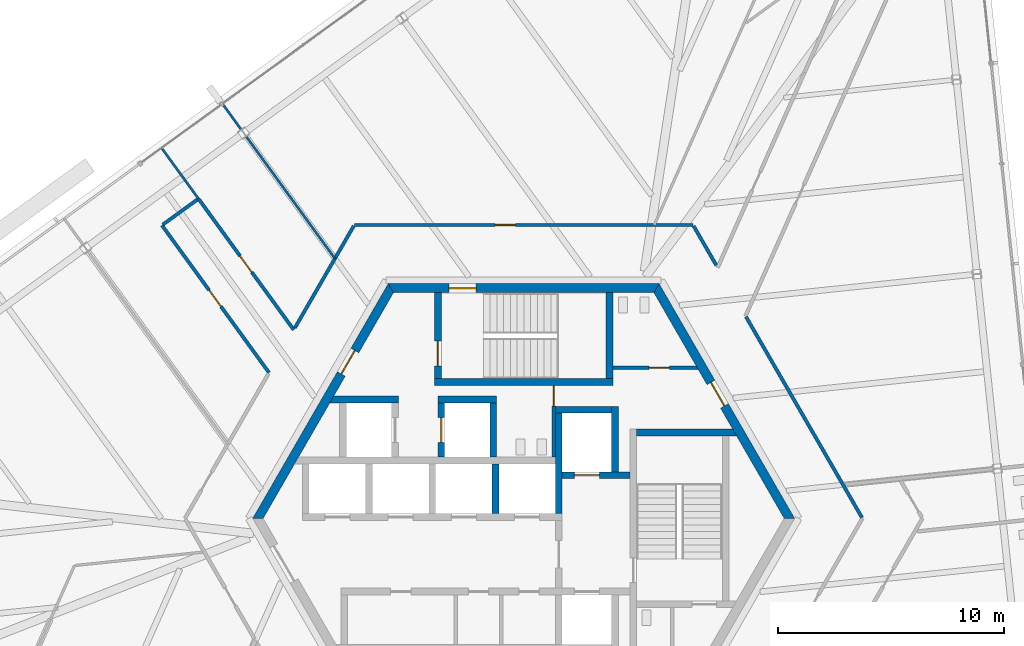
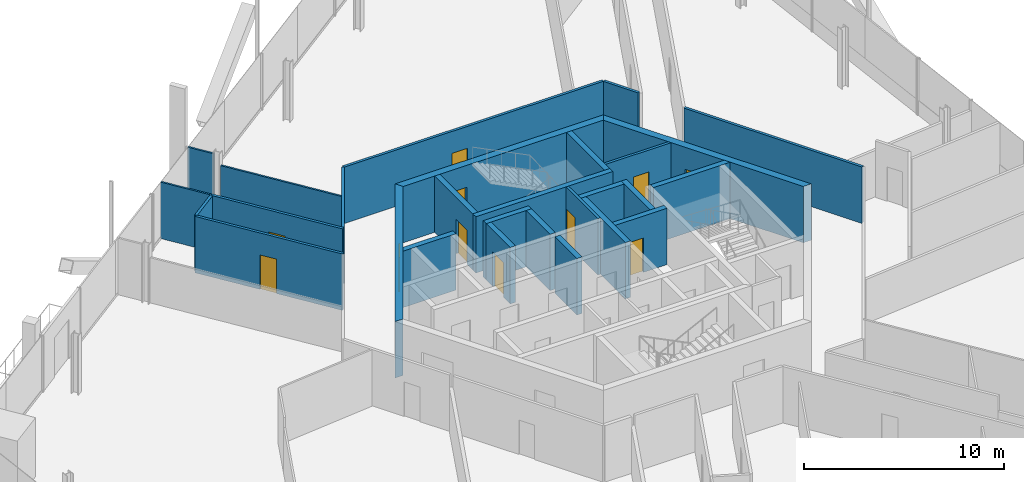
# One storey, part 13 of 21: 28 walls, 11 doors, 11 openings.
"""IFC4 building model written with IfcOpenShell, lengths in metres."""

from ifc_helpers import new_model, si_unit, direction, frame, frame_2d, origin, place, context, subcontext, project, spatial, polyline, rectangle, outline, extrude, source, transform, mapped, material, layer, layer_set, type_object, element, fill, save


model = new_model("IFC4")

# Units and contexts
model_context = context("Model", 3, precision=1e-05, world=origin(), true_north=direction((0.0, 1.0)))
body_context = subcontext(model_context, "Body", "Model", "MODEL_VIEW")
ifc_project = project(units=[si_unit("LENGTHUNIT", "METRE"), si_unit("AREAUNIT", "SQUARE_METRE"), si_unit("VOLUMEUNIT", "CUBIC_METRE"), si_unit("PLANEANGLEUNIT", "RADIAN"), si_unit("MASSUNIT", "GRAM", prefix="KILO")], contexts=[model_context])

# Site, building, storey
site_placement = place(None, origin())
site = spatial("IfcSite", under=ifc_project, at=site_placement, CompositionType="ELEMENT")
building_placement = place(site_placement, origin())
building = spatial("IfcBuilding", under=site, at=building_placement, Name="Triune Harvest Tower", CompositionType="ELEMENT")
storey_placement = place(building_placement, frame((0.0, 0.0, 80.10009765625)))
storey = spatial("IfcBuildingStorey", under=building, at=storey_placement, Name="L19", CompositionType="ELEMENT", Elevation=80.10009765625)

# Wall
ifc_material_1 = material(Name="Gypsum board on steel studs", Category="steel")
ifc_layer_1 = layer(ifc_material_1, 0.10009765625)
ifc_layer_set_1 = layer_set([ifc_layer_1], Name="Gypsum board on steel studs")
wall_type_1 = type_object("IfcWallType", Name="Partition 100 mm", PredefinedType="PARTITIONING", material=ifc_layer_set_1)
wall_1_placement = place(storey_placement, frame((-12.2880859375, 16.9130859375, 0.0), z_axis=(0.0, 0.0, 1.0), x_axis=(0.587780699175, -0.809020302389, 0.0)))
element("IfcWall", 1, at=wall_1_placement, inside=storey, type_object=wall_type_1, Name="Partition L19 018", PredefinedType="PARTITIONING", context=body_context, shape_type="SweptSolid", body=[
    extrude(rectangle(XDim=6.68408203125, YDim=0.10009765625, at=frame_2d((3.342041015625, 0.0))), origin(), (0.0, 0.0, 1.0), 2.82763671875),
])

# Wall, opening, door
ifc_material_2 = material(Name="Concrete 70 MPa", Category="concrete")
ifc_layer_2 = layer(ifc_material_2, 0.39990234375)
ifc_layer_set_2 = layer_set([ifc_layer_2], Name="Concrete 70 MPa")
wall_type_2 = type_object("IfcWallType", Name="Core wall 400", PredefinedType="SHEAR", material=ifc_layer_set_2)
shared_shape_1 = source(origin(), body_context, "Body", "SweptSolid", [
    extrude(outline(polyline([(-0.115478515625, -0.199951171875), (11.884521484375, -0.199951171875), (11.653564453125, 0.199951171875), (0.115478515625, 0.199951171875), (-0.115478515625, -0.199951171875)])), origin(), (0.0, 0.0, 1.0), 3.43994140625),
])
wall_2_placement = place(storey_placement, frame((11.76904296875, 0.0, 0.0), z_axis=(0.0, 0.0, 1.0), x_axis=(-0.499996592174, 0.866027371285, 0.0)))
wall_2 = element("IfcWall", 2, at=wall_2_placement, inside=storey, type_object=wall_type_2, Name="Hexagon 0 wall", PredefinedType="SHEAR", context=body_context, shape_type="MappedRepresentation", body=[
    mapped(shared_shape_1, transform((0.0, 0.0, 0.0), scale=1.0)),
])
opening_1_placement = place(wall_2_placement, frame((5.75048828125, 0.0, 0.0)))
opening_1 = element("IfcOpeningElement", 3, at=opening_1_placement, cuts=wall_2, Name="Opening CD-WCP", PredefinedType="OPENING", context=body_context, shape_type="SweptSolid", body=[
    extrude(rectangle(XDim=1.199951171875, YDim=2.10009765625, at=frame_2d((0.60009765625, 1.050048828125))), frame((0.0, 0.2099609375, 0.0), z_axis=(0.0, -1.0, 0.0), x_axis=(1.0, 0.0, 0.0)), (0.0, 0.0, 1.0), 0.419921875),
])
ifc_material_3 = material(Name="Steel S235", Category="steel")
door_type_1 = type_object("IfcDoorType", Name="Lobby door 1200 FD120", OperationType="SINGLE_SWING_LEFT", PredefinedType="DOOR", material=ifc_material_3)
door_1_placement = place(opening_1_placement, frame((1.199951171875, 0.0, 0.0), z_axis=(0.0, 0.0, 1.0), x_axis=(-1.0, 0.0, 0.0)))
door_1 = element("IfcDoor", 4, at=door_1_placement, inside=storey, type_object=door_type_1, Name="Door CD-WCP", OperationType="SINGLE_SWING_RIGHT", OverallHeight=2.10009765625, OverallWidth=1.199951171875, PredefinedType="DOOR", context=body_context, shape_type="SweptSolid", body=[
    extrude(rectangle(XDim=1.199951171875, YDim=2.10009765625, at=frame_2d((0.60009765625, 1.050048828125))), frame((0.0, 0.02490234375, 0.0), z_axis=(0.0, -1.0, 0.0), x_axis=(1.0, 0.0, 0.0)), (0.0, 0.0, 1.0), 0.050048828125),
])
fill(opening_1, door_1)

wall_3_placement = place(storey_placement, frame((5.884521484375, 10.1923828125, 0.0), z_axis=(0.0, 0.0, 1.0), x_axis=(-1.0, 0.0, 0.0)))
wall_3 = element("IfcWall", 5, at=wall_3_placement, inside=storey, type_object=wall_type_2, Name="Hexagon 1 wall", PredefinedType="SHEAR", context=body_context, shape_type="MappedRepresentation", body=[
    mapped(shared_shape_1, transform((0.0, 0.0, 0.0), scale=1.0)),
])
opening_2_placement = place(wall_3_placement, frame((7.984619140625, 0.0, 0.0)))
opening_2 = element("IfcOpeningElement", 6, at=opening_2_placement, cuts=wall_3, Name="Opening CD-S1P", PredefinedType="OPENING", context=body_context, shape_type="SweptSolid", body=[
    extrude(rectangle(XDim=1.199951171875, YDim=2.10009765625, at=frame_2d((0.60009765625, 1.050048828125))), frame((0.0, 0.2099609375, 0.0), z_axis=(0.0, -1.0, 0.0), x_axis=(1.0, 0.0, 0.0)), (0.0, 0.0, 1.0), 0.419921875),
])
ifc_material_4 = material(Name="Steel S235", Category="steel")
door_type_2 = type_object("IfcDoorType", Name="Stair door 1200 FD120", OperationType="SINGLE_SWING_LEFT", PredefinedType="DOOR", material=ifc_material_4)
door_2_placement = place(opening_2_placement, frame((1.199951171875, 0.0, 0.0), z_axis=(0.0, 0.0, 1.0), x_axis=(-1.0, 0.0, 0.0)))
door_2 = element("IfcDoor", 7, at=door_2_placement, inside=storey, type_object=door_type_2, Name="Door CD-S1P", OperationType="SINGLE_SWING_RIGHT", OverallHeight=2.10009765625, OverallWidth=1.199951171875, PredefinedType="DOOR", context=body_context, shape_type="SweptSolid", body=[
    extrude(rectangle(XDim=1.199951171875, YDim=2.10009765625, at=frame_2d((0.60009765625, 1.050048828125))), frame((0.0, 0.02490234375, 0.0), z_axis=(0.0, -1.0, 0.0), x_axis=(1.0, 0.0, 0.0)), (0.0, 0.0, 1.0), 0.050048828125),
])
fill(opening_2, door_2)

wall_4_placement = place(storey_placement, frame((-5.884521484375, 10.1923828125, 0.0), z_axis=(0.0, 0.0, 1.0), x_axis=(-0.499996592174, -0.866027371285, 0.0)))
wall_4 = element("IfcWall", 8, at=wall_4_placement, inside=storey, type_object=wall_type_2, Name="Hexagon 2 wall", PredefinedType="SHEAR", context=body_context, shape_type="MappedRepresentation", body=[
    mapped(shared_shape_1, transform((0.0, 0.0, 0.0), scale=1.0)),
])
opening_3_placement = place(wall_4_placement, frame((3.1845703125, 0.0, 0.0)))
opening_3 = element("IfcOpeningElement", 9, at=opening_3_placement, cuts=wall_4, Name="Opening CD-SVP", PredefinedType="OPENING", context=body_context, shape_type="SweptSolid", body=[
    extrude(rectangle(XDim=1.199951171875, YDim=2.10009765625, at=frame_2d((0.60009765625, 1.050048828125))), frame((0.0, 0.2099609375, 0.0), z_axis=(0.0, -1.0, 0.0), x_axis=(1.0, 0.0, 0.0)), (0.0, 0.0, 1.0), 0.419921875),
])
ifc_material_5 = material(Name="Steel S235", Category="steel")
door_type_3 = type_object("IfcDoorType", Name="Service door 1200 FD120", OperationType="SINGLE_SWING_LEFT", PredefinedType="DOOR", material=ifc_material_5)
door_3_placement = place(opening_3_placement, frame((1.199951171875, 0.0, 0.0), z_axis=(0.0, 0.0, 1.0), x_axis=(-1.0, 0.0, 0.0)))
door_3 = element("IfcDoor", 10, at=door_3_placement, inside=storey, type_object=door_type_3, Name="Door CD-SVP", OperationType="SINGLE_SWING_RIGHT", OverallHeight=2.10009765625, OverallWidth=1.199951171875, PredefinedType="DOOR", context=body_context, shape_type="SweptSolid", body=[
    extrude(rectangle(XDim=1.199951171875, YDim=2.10009765625, at=frame_2d((0.60009765625, 1.050048828125))), frame((0.0, 0.02490234375, 0.0), z_axis=(0.0, -1.0, 0.0), x_axis=(1.0, 0.0, 0.0)), (0.0, 0.0, 1.0), 0.050048828125),
])
fill(opening_3, door_3)

# Walls
ifc_material_6 = material(Name="Concrete 70 MPa", Category="concrete")
ifc_layer_3 = layer(ifc_material_6, 0.300048828125)
ifc_layer_set_3 = layer_set([ifc_layer_3], Name="Concrete 70 MPa")
wall_type_3 = type_object("IfcWallType", Name="Core wall 300", PredefinedType="SHEAR", material=ifc_layer_set_3)
shared_shape_2 = source(origin(), body_context, "Body", "SweptSolid", [
    extrude(rectangle(XDim=2.5, YDim=0.300048828125, at=frame_2d((1.25, 0.0))), origin(), (0.0, 0.0, 1.0), 3.43994140625),
])
wall_5_placement = place(storey_placement, frame((1.39990234375, 4.81005859375, 0.0), z_axis=(0.0, 0.0, 1.0), x_axis=(1.0, 0.0, 0.0)))
element("IfcWall", 11, at=wall_5_placement, inside=storey, type_object=wall_type_3, Name="Ff1 back wall", PredefinedType="SHEAR", context=body_context, shape_type="MappedRepresentation", body=[
    mapped(shared_shape_2, transform((0.0, 0.0, 0.0), scale=1.0)),
])
shared_shape_3 = source(origin(), body_context, "Body", "SweptSolid", [
    extrude(rectangle(XDim=4.449951171875, YDim=0.300048828125, at=frame_2d((2.22509765625, 0.0))), origin(), (0.0, 0.0, 1.0), 3.43994140625),
])
wall_6_placement = place(storey_placement, frame((1.550048828125, 0.2099609375, 0.0), z_axis=(0.0, 0.0, 1.0), x_axis=(0.0, 1.0, 0.0)))
element("IfcWall", 12, at=wall_6_placement, inside=storey, type_object=wall_type_3, Name="Ff1 west wall", PredefinedType="SHEAR", context=body_context, shape_type="MappedRepresentation", body=[
    mapped(shared_shape_3, transform((0.0, 0.0, 0.0), scale=1.0)),
])

# Wall, opening, door
shared_shape_4 = source(origin(), body_context, "Body", "SweptSolid", [
    extrude(rectangle(XDim=3.0, YDim=0.300048828125, at=frame_2d((1.5, 0.0))), origin(), (0.0, 0.0, 1.0), 3.43994140625),
])
wall_7_placement = place(storey_placement, frame((1.699951171875, 1.909912109375, 0.0), z_axis=(0.0, 0.0, 1.0), x_axis=(1.0, 0.0, 0.0)))
wall_7 = element("IfcWall", 13, at=wall_7_placement, inside=storey, type_object=wall_type_3, Name="Ff1 front wall", PredefinedType="SHEAR", context=body_context, shape_type="MappedRepresentation", body=[
    mapped(shared_shape_4, transform((0.0, 0.0, 0.0), scale=1.0)),
])
opening_4_placement = place(wall_7_placement, frame((0.550048828125, 0.0, 0.0)))
opening_4 = element("IfcOpeningElement", 14, at=opening_4_placement, cuts=wall_7, Name="Opening LD-FF1-19", PredefinedType="OPENING", context=body_context, shape_type="SweptSolid", body=[
    extrude(rectangle(XDim=1.10009765625, YDim=2.10009765625, at=frame_2d((0.550048828125, 1.050048828125))), frame((0.0, 0.16015625, 0.0), z_axis=(0.0, -1.0, 0.0), x_axis=(1.0, 0.0, 0.0)), (0.0, 0.0, 1.0), 0.320068359375),
])
ifc_material_7 = material(Name="Stainless steel AISI 304", Category="steel")
door_type_4 = type_object("IfcDoorType", Name="Landing door 1100 x 2100", OperationType="DOUBLE_DOOR_SLIDING", PredefinedType="DOOR", material=ifc_material_7)
door_4_placement = place(opening_4_placement, origin())
door_4 = element("IfcDoor", 15, at=door_4_placement, inside=storey, type_object=door_type_4, Name="Door LD-FF1-19", OperationType="DOUBLE_DOOR_SLIDING", OverallHeight=2.10009765625, OverallWidth=1.10009765625, PredefinedType="DOOR", context=body_context, shape_type="SweptSolid", body=[
    extrude(rectangle(XDim=1.10009765625, YDim=2.10009765625, at=frame_2d((0.550048828125, 1.050048828125))), frame((0.0, 0.02490234375, 0.0), z_axis=(0.0, -1.0, 0.0), x_axis=(1.0, 0.0, 0.0)), (0.0, 0.0, 1.0), 0.050048828125),
])
fill(opening_4, door_4)

# Walls
shared_shape_5 = source(origin(), body_context, "Body", "SweptSolid", [
    extrude(rectangle(XDim=2.89990234375, YDim=0.300048828125, at=frame_2d((1.449951171875, 0.0))), origin(), (0.0, 0.0, 1.0), 3.43994140625),
])
wall_8_placement = place(storey_placement, frame((4.050048828125, 2.06005859375, 0.0), z_axis=(0.0, 0.0, 1.0), x_axis=(0.0, 1.0, 0.0)))
element("IfcWall", 16, at=wall_8_placement, inside=storey, type_object=wall_type_3, Name="Ff1 east wall", PredefinedType="SHEAR", context=body_context, shape_type="MappedRepresentation", body=[
    mapped(shared_shape_5, transform((0.0, 0.0, 0.0), scale=1.0)),
])
shared_shape_6 = source(origin(), body_context, "Body", "SweptSolid", [
    extrude(rectangle(XDim=2.199951171875, YDim=0.300048828125, at=frame_2d((1.10009765625, 0.0))), origin(), (0.0, 0.0, 1.0), 3.43994140625),
])
wall_9_placement = place(storey_placement, frame((-1.25, 0.2099609375, 0.0), z_axis=(0.0, 0.0, 1.0), x_axis=(0.0, 1.0, 0.0)))
element("IfcWall", 17, at=wall_9_placement, inside=storey, type_object=wall_type_3, Name="North cross 3 wall", PredefinedType="SHEAR", context=body_context, shape_type="MappedRepresentation", body=[
    mapped(shared_shape_6, transform((0.0, 0.0, 0.0), scale=1.0)),
])
shared_shape_7 = source(origin(), body_context, "Body", "SweptSolid", [
    extrude(outline(polyline([(0.0, -0.14990234375), (0.0, 0.14990234375), (4.260009765625, 0.14990234375), (4.43310546875, -0.14990234375), (0.0, -0.14990234375)])), origin(), (0.0, 0.0, 1.0), 3.43994140625),
])
wall_10_placement = place(storey_placement, frame((5.0, 3.800048828125, 0.0), z_axis=(0.0, 0.0, 1.0), x_axis=(1.0, 0.0, 0.0)))
element("IfcWall", 18, at=wall_10_placement, inside=storey, type_object=wall_type_3, Name="Stair e north wall", PredefinedType="SHEAR", context=body_context, shape_type="MappedRepresentation", body=[
    mapped(shared_shape_7, transform((0.0, 0.0, 0.0), scale=1.0)),
])
shared_shape_8 = source(origin(), body_context, "Body", "SweptSolid", [
    extrude(rectangle(XDim=7.89990234375, YDim=0.300048828125, at=frame_2d((3.949951171875, 0.0))), origin(), (0.0, 0.0, 1.0), 3.43994140625),
])
wall_11_placement = place(storey_placement, frame((-3.949951171875, 6.0400390625, 0.0), z_axis=(0.0, 0.0, 1.0), x_axis=(1.0, 0.0, 0.0)))
element("IfcWall", 19, at=wall_11_placement, inside=storey, type_object=wall_type_3, Name="Stair n south wall", PredefinedType="SHEAR", context=body_context, shape_type="MappedRepresentation", body=[
    mapped(shared_shape_8, transform((0.0, 0.0, 0.0), scale=1.0)),
])

# Wall, opening, door
shared_shape_9 = source(origin(), body_context, "Body", "SweptSolid", [
    extrude(outline(polyline([(0.0, -0.14990234375), (0.0, 0.14990234375), (3.80419921875, 0.14990234375), (3.80419921875, -0.14990234375), (0.0, -0.14990234375)])), origin(), (0.0, 0.0, 1.0), 3.43994140625),
])
wall_12_placement = place(storey_placement, frame((-3.800048828125, 6.18994140625, 0.0), z_axis=(0.0, 0.0, 1.0), x_axis=(0.0, 1.0, 0.0)))
wall_12 = element("IfcWall", 20, at=wall_12_placement, inside=storey, type_object=wall_type_3, Name="Stair n west wall", PredefinedType="SHEAR", context=body_context, shape_type="MappedRepresentation", body=[
    mapped(shared_shape_9, transform((0.0, 0.0, 0.0), scale=1.0)),
])
opening_5_placement = place(wall_12_placement, frame((0.56005859375, 0.0, 0.0)))
opening_5 = element("IfcOpeningElement", 21, at=opening_5_placement, cuts=wall_12, Name="Opening CD-S1L", PredefinedType="OPENING", context=body_context, shape_type="SweptSolid", body=[
    extrude(rectangle(XDim=1.10009765625, YDim=2.10009765625, at=frame_2d((0.550048828125, 1.050048828125))), frame((0.0, 0.16015625, 0.0), z_axis=(0.0, -1.0, 0.0), x_axis=(1.0, 0.0, 0.0)), (0.0, 0.0, 1.0), 0.320068359375),
])
ifc_material_8 = material(Name="Steel S235", Category="steel")
door_type_5 = type_object("IfcDoorType", Name="Stair door 1100 FD120", OperationType="SINGLE_SWING_LEFT", PredefinedType="DOOR", material=ifc_material_8)
door_5_placement = place(opening_5_placement, frame((1.10009765625, 0.0, 0.0), z_axis=(0.0, 0.0, 1.0), x_axis=(-1.0, 0.0, 0.0)))
door_5 = element("IfcDoor", 22, at=door_5_placement, inside=storey, type_object=door_type_5, Name="Door CD-S1L", OperationType="SINGLE_SWING_RIGHT", OverallHeight=2.10009765625, OverallWidth=1.10009765625, PredefinedType="DOOR", context=body_context, shape_type="SweptSolid", body=[
    extrude(rectangle(XDim=1.10009765625, YDim=2.10009765625, at=frame_2d((0.550048828125, 1.050048828125))), frame((0.0, 0.02490234375, 0.0), z_axis=(0.0, -1.0, 0.0), x_axis=(1.0, 0.0, 0.0)), (0.0, 0.0, 1.0), 0.050048828125),
])
fill(opening_5, door_5)

# Walls
wall_13_placement = place(storey_placement, frame((3.800048828125, 6.18994140625, 0.0), z_axis=(0.0, 0.0, 1.0), x_axis=(0.0, 1.0, 0.0)))
element("IfcWall", 23, at=wall_13_placement, inside=storey, type_object=wall_type_3, Name="Stair n east wall", PredefinedType="SHEAR", context=body_context, shape_type="MappedRepresentation", body=[
    mapped(shared_shape_9, transform((0.0, 0.0, 0.0), scale=1.0)),
])
shared_shape_10 = source(origin(), body_context, "Body", "SweptSolid", [
    extrude(outline(polyline([(2.60009765625, -0.14990234375), (-0.440185546875, -0.14990234375), (-0.26708984375, 0.14990234375), (2.60009765625, 0.14990234375), (2.60009765625, -0.14990234375)])), origin(), (0.0, 0.0, 1.0), 3.43994140625),
])
wall_14_placement = place(storey_placement, frame((-8.14990234375, 5.260009765625, 0.0), z_axis=(0.0, 0.0, 1.0), x_axis=(1.0, 0.0, 0.0)))
element("IfcWall", 24, at=wall_14_placement, inside=storey, type_object=wall_type_3, Name="Sv1 north wall", PredefinedType="SHEAR", context=body_context, shape_type="MappedRepresentation", body=[
    mapped(shared_shape_10, transform((0.0, 0.0, 0.0), scale=1.0)),
])

# Wall, opening, door
shared_shape_11 = source(origin(), body_context, "Body", "SweptSolid", [
    extrude(rectangle(XDim=2.400146484375, YDim=0.300048828125, at=frame_2d((1.2001953125, 0.0))), origin(), (0.0, 0.0, 1.0), 3.43994140625),
])
wall_15_placement = place(storey_placement, frame((-3.64990234375, 2.7099609375, 0.0), z_axis=(0.0, 0.0, 1.0), x_axis=(0.0, 1.0, 0.0)))
wall_15 = element("IfcWall", 25, at=wall_15_placement, inside=storey, type_object=wall_type_3, Name="Sv2 west wall", PredefinedType="SHEAR", context=body_context, shape_type="MappedRepresentation", body=[
    mapped(shared_shape_11, transform((0.0, 0.0, 0.0), scale=1.0)),
])
opening_6_placement = place(wall_15_placement, frame((0.64990234375, 0.0, 0.0)))
opening_6 = element("IfcOpeningElement", 26, at=opening_6_placement, cuts=wall_15, Name="Opening LD-SV2-19", PredefinedType="OPENING", context=body_context, shape_type="SweptSolid", body=[
    extrude(rectangle(XDim=1.10009765625, YDim=2.10009765625, at=frame_2d((0.550048828125, 1.050048828125))), frame((0.0, 0.16015625, 0.0), z_axis=(0.0, -1.0, 0.0), x_axis=(1.0, 0.0, 0.0)), (0.0, 0.0, 1.0), 0.320068359375),
])
door_6_placement = place(opening_6_placement, origin())
door_6 = element("IfcDoor", 27, at=door_6_placement, inside=storey, type_object=door_type_4, Name="Door LD-SV2-19", OperationType="DOUBLE_DOOR_SLIDING", OverallHeight=2.10009765625, OverallWidth=1.10009765625, PredefinedType="DOOR", context=body_context, shape_type="SweptSolid", body=[
    extrude(rectangle(XDim=1.10009765625, YDim=2.10009765625, at=frame_2d((0.550048828125, 1.050048828125))), frame((0.0, 0.02490234375, 0.0), z_axis=(0.0, -1.0, 0.0), x_axis=(1.0, 0.0, 0.0)), (0.0, 0.0, 1.0), 0.050048828125),
])
fill(opening_6, door_6)

# Walls
wall_16_placement = place(storey_placement, frame((-1.35009765625, 2.7099609375, 0.0), z_axis=(0.0, 0.0, 1.0), x_axis=(0.0, 1.0, 0.0)))
element("IfcWall", 28, at=wall_16_placement, inside=storey, type_object=wall_type_3, Name="Sv2 east wall", PredefinedType="SHEAR", context=body_context, shape_type="MappedRepresentation", body=[
    mapped(shared_shape_11, transform((0.0, 0.0, 0.0), scale=1.0)),
])
shared_shape_12 = source(origin(), body_context, "Body", "SweptSolid", [
    extrude(rectangle(XDim=2.60009765625, YDim=0.300048828125, at=frame_2d((1.300048828125, 0.0))), origin(), (0.0, 0.0, 1.0), 3.43994140625),
])
wall_17_placement = place(storey_placement, frame((-3.800048828125, 5.260009765625, 0.0), z_axis=(0.0, 0.0, 1.0), x_axis=(1.0, 0.0, 0.0)))
element("IfcWall", 29, at=wall_17_placement, inside=storey, type_object=wall_type_3, Name="Sv2 north wall", PredefinedType="SHEAR", context=body_context, shape_type="MappedRepresentation", body=[
    mapped(shared_shape_12, transform((0.0, 0.0, 0.0), scale=1.0)),
])

# Wall, opening, door
ifc_material_9 = material(Name="Concrete masonry unit", Category="masonry")
ifc_layer_4 = layer(ifc_material_9, 0.14990234375)
ifc_layer_set_4 = layer_set([ifc_layer_4], Name="Concrete masonry unit")
wall_type_4 = type_object("IfcWallType", Name="Block partition 150 unrated", PredefinedType="PARTITIONING", material=ifc_layer_set_4)
shared_shape_13 = source(origin(), body_context, "Body", "SweptSolid", [
    extrude(rectangle(XDim=3.179931640625, YDim=0.14990234375, at=frame_2d((1.58984375, 0.0))), origin(), (0.0, 0.0, 1.0), 3.43994140625),
])
wall_18_placement = place(storey_placement, frame((1.324951171875, 2.7099609375, 0.0), z_axis=(0.0, 0.0, 1.0), x_axis=(0.0, 1.0, 0.0)))
wall_18 = element("IfcWall", 30, at=wall_18_placement, inside=storey, type_object=wall_type_4, Name="Wc men east wall", PredefinedType="PARTITIONING", context=body_context, shape_type="MappedRepresentation", body=[
    mapped(shared_shape_13, transform((0.0, 0.0, 0.0), scale=1.0)),
])
opening_7_placement = place(wall_18_placement, frame((2.264892578125, 0.0, 0.0)))
opening_7 = element("IfcOpeningElement", 31, at=opening_7_placement, cuts=wall_18, Name="Opening CD-WM", PredefinedType="OPENING", context=body_context, shape_type="SweptSolid", body=[
    extrude(rectangle(XDim=0.89990234375, YDim=2.10009765625, at=frame_2d((0.449951171875, 1.050048828125))), frame((0.0, 0.0849609375, 0.0), z_axis=(0.0, -1.0, 0.0), x_axis=(1.0, 0.0, 0.0)), (0.0, 0.0, 1.0), 0.169921875),
])
ifc_material_10 = material(Name="Timber C24", Category="wood")
door_type_6 = type_object("IfcDoorType", Name="WC door 900", OperationType="SINGLE_SWING_LEFT", PredefinedType="DOOR", material=ifc_material_10)
door_7_placement = place(opening_7_placement, origin())
door_7 = element("IfcDoor", 32, at=door_7_placement, inside=storey, type_object=door_type_6, Name="Door CD-WM", OperationType="SINGLE_SWING_LEFT", OverallHeight=2.10009765625, OverallWidth=0.89990234375, PredefinedType="DOOR", context=body_context, shape_type="SweptSolid", body=[
    extrude(rectangle(XDim=0.89990234375, YDim=2.10009765625, at=frame_2d((0.449951171875, 1.050048828125))), frame((0.0, 0.02490234375, 0.0), z_axis=(0.0, -1.0, 0.0), x_axis=(1.0, 0.0, 0.0)), (0.0, 0.0, 1.0), 0.050048828125),
])
fill(opening_7, door_7)

shared_shape_14 = source(origin(), body_context, "Body", "SweptSolid", [
    extrude(outline(polyline([(0.0, -0.074951171875), (0.0, 0.074951171875), (3.693359375, 0.074951171875), (3.77978515625, -0.074951171875), (0.0, -0.074951171875)])), origin(), (0.0, 0.0, 1.0), 3.43994140625),
])
wall_19_placement = place(storey_placement, frame((3.949951171875, 6.675048828125, 0.0), z_axis=(0.0, 0.0, 1.0), x_axis=(1.0, 0.0, 0.0)))
wall_19 = element("IfcWall", 33, at=wall_19_placement, inside=storey, type_object=wall_type_4, Name="Wc women south wall", PredefinedType="PARTITIONING", context=body_context, shape_type="MappedRepresentation", body=[
    mapped(shared_shape_14, transform((0.0, 0.0, 0.0), scale=1.0)),
])
opening_8_placement = place(wall_19_placement, frame((1.60009765625, 0.0, 0.0)))
opening_8 = element("IfcOpeningElement", 34, at=opening_8_placement, cuts=wall_19, Name="Opening CD-WW", PredefinedType="OPENING", context=body_context, shape_type="SweptSolid", body=[
    extrude(rectangle(XDim=0.89990234375, YDim=2.10009765625, at=frame_2d((0.449951171875, 1.050048828125))), frame((0.0, 0.0849609375, 0.0), z_axis=(0.0, -1.0, 0.0), x_axis=(1.0, 0.0, 0.0)), (0.0, 0.0, 1.0), 0.169921875),
])
door_8_placement = place(opening_8_placement, origin())
door_8 = element("IfcDoor", 35, at=door_8_placement, inside=storey, type_object=door_type_6, Name="Door CD-WW", OperationType="SINGLE_SWING_LEFT", OverallHeight=2.10009765625, OverallWidth=0.89990234375, PredefinedType="DOOR", context=body_context, shape_type="SweptSolid", body=[
    extrude(rectangle(XDim=0.89990234375, YDim=2.10009765625, at=frame_2d((0.449951171875, 1.050048828125))), frame((0.0, 0.02490234375, 0.0), z_axis=(0.0, -1.0, 0.0), x_axis=(1.0, 0.0, 0.0)), (0.0, 0.0, 1.0), 0.050048828125),
])
fill(opening_8, door_8)

# Walls
shared_shape_15 = source(origin(), body_context, "Body", "SweptSolid", [
    extrude(rectangle(XDim=1.418212890625, YDim=0.10009765625, at=frame_2d((0.708984375, 0.0))), origin(), (0.0, 0.0, 1.0), 3.43994140625),
])
wall_20_placement = place(storey_placement, frame((-13.34130859375, 18.36279296875, 0.0), z_axis=(0.0, 0.0, 1.0), x_axis=(0.587700759977, -0.809078374895, 0.0)))
element("IfcWall", 36, at=wall_20_placement, inside=storey, type_object=wall_type_1, Name="Partition L19 017", PredefinedType="PARTITIONING", context=body_context, shape_type="MappedRepresentation", body=[
    mapped(shared_shape_15, transform((0.0, 0.0, 0.0), scale=1.0)),
])
shared_shape_16 = source(origin(), body_context, "Body", "SweptSolid", [
    extrude(rectangle(XDim=2.7802734375, YDim=0.10009765625, at=frame_2d((1.39013671875, 0.0))), origin(), (0.0, 0.0, 1.0), 3.43994140625),
])
wall_21_placement = place(storey_placement, frame((-16.03662109375, 16.40478515625, 0.0), z_axis=(0.0, 0.0, 1.0), x_axis=(0.587806154415, -0.809001807682, 0.0)))
element("IfcWall", 37, at=wall_21_placement, inside=storey, type_object=wall_type_1, Name="Partition L19 013", PredefinedType="PARTITIONING", context=body_context, shape_type="MappedRepresentation", body=[
    mapped(shared_shape_16, transform((0.0, 0.0, 0.0), scale=1.0)),
])
ifc_material_11 = material(Name="Gypsum board on steel studs", Category="steel")
ifc_layer_5 = layer(ifc_material_11, 0.14990234375)
ifc_layer_set_5 = layer_set([ifc_layer_5], Name="Gypsum board on steel studs")
wall_type_5 = type_object("IfcWallType", Name="Fire Partition 150 mm", PredefinedType="PARTITIONING", material=ifc_layer_set_5)
shared_shape_17 = source(origin(), body_context, "Body", "SweptSolid", [
    extrude(rectangle(XDim=2.00927734375, YDim=0.14990234375, at=frame_2d((1.004638671875, 0.0))), origin(), (0.0, 0.0, 1.0), 3.43994140625),
])
wall_22_placement = place(storey_placement, frame((7.526123046875, 12.948974609375, 0.0), z_axis=(0.0, 0.0, 1.0), x_axis=(0.500020471368, -0.866013584312, 0.0)))
element("IfcWall", 38, at=wall_22_placement, inside=storey, type_object=wall_type_5, Name="Partition L19 006", PredefinedType="PARTITIONING", context=body_context, shape_type="MappedRepresentation", body=[
    mapped(shared_shape_17, transform((0.0, 0.0, 0.0), scale=1.0)),
])
shared_shape_18 = source(origin(), body_context, "Body", "SweptSolid", [
    extrude(rectangle(XDim=10.27099609375, YDim=0.14990234375, at=frame_2d((5.135498046875, 0.0))), origin(), (0.0, 0.0, 1.0), 3.43994140625),
])
wall_23_placement = place(storey_placement, frame((9.8466796875, 8.9296875, 0.0), z_axis=(0.0, 0.0, 1.0), x_axis=(0.499996796291, -0.866027253439, 0.0)))
element("IfcWall", 39, at=wall_23_placement, inside=storey, type_object=wall_type_5, Name="Partition L19 007", PredefinedType="PARTITIONING", context=body_context, shape_type="MappedRepresentation", body=[
    mapped(shared_shape_18, transform((0.0, 0.0, 0.0), scale=1.0)),
])

# Wall, opening, door
shared_shape_19 = source(origin(), body_context, "Body", "SweptSolid", [
    extrude(rectangle(XDim=8.0693359375, YDim=0.14990234375, at=frame_2d((4.03466796875, 0.0))), origin(), (0.0, 0.0, 1.0), 3.43994140625),
])
wall_24_placement = place(storey_placement, frame((-16.020263671875, 12.97998046875, 0.0), z_axis=(0.0, 0.0, 1.0), x_axis=(0.587804645585, -0.809002903968, 0.0)))
wall_24 = element("IfcWall", 40, at=wall_24_placement, inside=storey, type_object=wall_type_5, Name="Partition L19 011", PredefinedType="PARTITIONING", context=body_context, shape_type="MappedRepresentation", body=[
    mapped(shared_shape_19, transform((0.0, 0.0, 0.0), scale=1.0)),
])
opening_9_placement = place(wall_24_placement, frame((3.549072265625, 0.0, 0.0)))
opening_9 = element("IfcOpeningElement", 41, at=opening_9_placement, cuts=wall_24, Name="Opening L19-012", PredefinedType="OPENING", context=body_context, shape_type="SweptSolid", body=[
    extrude(rectangle(XDim=0.89990234375, YDim=2.10009765625, at=frame_2d((0.449951171875, 1.050048828125))), frame((0.0, 0.0849609375, 0.0), z_axis=(0.0, -1.0, 0.0), x_axis=(1.0, 0.0, 0.0)), (0.0, 0.0, 1.0), 0.169921875),
])
ifc_material_12 = material(Name="Timber and steel door set", Category="steel")
door_type_7 = type_object("IfcDoorType", Name="Single leaf door FD30 right hand 900 x 2100", OperationType="SINGLE_SWING_RIGHT", PredefinedType="DOOR", material=ifc_material_12)
door_9_placement = place(opening_9_placement, origin())
door_9 = element("IfcDoor", 42, at=door_9_placement, inside=storey, type_object=door_type_7, Name="Door L19-012 Meeting Room 19.12", OperationType="SINGLE_SWING_RIGHT", OverallHeight=2.10009765625, OverallWidth=0.89990234375, PredefinedType="DOOR", context=body_context, shape_type="SweptSolid", body=[
    extrude(rectangle(XDim=0.89990234375, YDim=2.10009765625, at=frame_2d((0.449951171875, 1.050048828125))), frame((0.0, 0.02490234375, 0.0), z_axis=(0.0, -1.0, 0.0), x_axis=(1.0, 0.0, 0.0)), (0.0, 0.0, 1.0), 0.050048828125),
])
fill(opening_9, door_9)

shared_shape_20 = source(origin(), body_context, "Body", "SweptSolid", [
    extrude(rectangle(XDim=7.178955078125, YDim=0.14990234375, at=frame_2d((3.58935546875, 0.0))), origin(), (0.0, 0.0, 1.0), 3.43994140625),
])
wall_25_placement = place(storey_placement, frame((-14.40234375, 14.155517578125, 0.0), z_axis=(0.0, 0.0, 1.0), x_axis=(0.587791480209, -0.809012469492, 0.0)))
wall_25 = element("IfcWall", 43, at=wall_25_placement, inside=storey, type_object=wall_type_5, Name="Partition L19 014", PredefinedType="PARTITIONING", context=body_context, shape_type="MappedRepresentation", body=[
    mapped(shared_shape_20, transform((0.0, 0.0, 0.0), scale=1.0)),
])
opening_10_placement = place(wall_25_placement, frame((3.12890625, 0.0, 0.0)))
opening_10 = element("IfcOpeningElement", 44, at=opening_10_placement, cuts=wall_25, Name="Opening L19-013", PredefinedType="OPENING", context=body_context, shape_type="SweptSolid", body=[
    extrude(rectangle(XDim=0.89990234375, YDim=2.10009765625, at=frame_2d((0.449951171875, 1.050048828125))), frame((0.0, 0.0849609375, 0.0), z_axis=(0.0, -1.0, 0.0), x_axis=(1.0, 0.0, 0.0)), (0.0, 0.0, 1.0), 0.169921875),
])
ifc_material_13 = material(Name="Timber and steel door set", Category="steel")
door_type_8 = type_object("IfcDoorType", Name="Single leaf door FD30 left hand 900 x 2100", OperationType="SINGLE_SWING_LEFT", PredefinedType="DOOR", material=ifc_material_13)
door_10_placement = place(opening_10_placement, origin())
door_10 = element("IfcDoor", 45, at=door_10_placement, inside=storey, type_object=door_type_8, Name="Door L19-013 Office 19.13", OperationType="SINGLE_SWING_LEFT", OverallHeight=2.10009765625, OverallWidth=0.89990234375, PredefinedType="DOOR", context=body_context, shape_type="SweptSolid", body=[
    extrude(rectangle(XDim=0.89990234375, YDim=2.10009765625, at=frame_2d((0.449951171875, 1.050048828125))), frame((0.0, 0.02490234375, 0.0), z_axis=(0.0, -1.0, 0.0), x_axis=(1.0, 0.0, 0.0)), (0.0, 0.0, 1.0), 0.050048828125),
])
fill(opening_10, door_10)

shared_shape_21 = source(origin(), body_context, "Body", "SweptSolid", [
    extrude(rectangle(XDim=15.00244140625, YDim=0.14990234375, at=frame_2d((7.501220703125, 0.0))), origin(), (0.0, 0.0, 1.0), 3.43994140625),
])
wall_26_placement = place(storey_placement, frame((-7.501220703125, 12.9921875, 0.0), z_axis=(0.0, 0.0, 1.0), x_axis=(1.0, 0.0, 0.0)))
wall_26 = element("IfcWall", 46, at=wall_26_placement, inside=storey, type_object=wall_type_5, Name="Partition L19 030", PredefinedType="PARTITIONING", context=body_context, shape_type="MappedRepresentation", body=[
    mapped(shared_shape_21, transform((0.0, 0.0, 0.0), scale=1.0)),
])
opening_11_placement = place(wall_26_placement, frame((6.235595703125, 0.0, 0.0)))
opening_11 = element("IfcOpeningElement", 47, at=opening_11_placement, cuts=wall_26, Name="Opening L19-011", PredefinedType="OPENING", context=body_context, shape_type="SweptSolid", body=[
    extrude(rectangle(XDim=0.89990234375, YDim=2.10009765625, at=frame_2d((0.449951171875, 1.050048828125))), frame((0.0, 0.0849609375, 0.0), z_axis=(0.0, -1.0, 0.0), x_axis=(1.0, 0.0, 0.0)), (0.0, 0.0, 1.0), 0.169921875),
])
door_11_placement = place(opening_11_placement, origin())
door_11 = element("IfcDoor", 48, at=door_11_placement, inside=storey, type_object=door_type_8, Name="Door L19-011 Food Laboratory 19.11", OperationType="SINGLE_SWING_LEFT", OverallHeight=2.10009765625, OverallWidth=0.89990234375, PredefinedType="DOOR", context=body_context, shape_type="SweptSolid", body=[
    extrude(rectangle(XDim=0.89990234375, YDim=2.10009765625, at=frame_2d((0.449951171875, 1.050048828125))), frame((0.0, 0.02490234375, 0.0), z_axis=(0.0, -1.0, 0.0), x_axis=(1.0, 0.0, 0.0)), (0.0, 0.0, 1.0), 0.050048828125),
])
fill(opening_11, door_11)

# Walls
shared_shape_22 = source(origin(), body_context, "Body", "SweptSolid", [
    extrude(rectangle(XDim=1.89013671875, YDim=0.14990234375, at=frame_2d((0.945068359375, 0.0))), origin(), (0.0, 0.0, 1.0), 3.43994140625),
])
wall_27_placement = place(storey_placement, frame((-15.979736328125, 13.009521484375, 0.0), z_axis=(0.0, 0.0, 1.0), x_axis=(0.808976198647, 0.587841398698, 0.0)))
element("IfcWall", 49, at=wall_27_placement, inside=storey, type_object=wall_type_5, Name="Partition L19 041", PredefinedType="PARTITIONING", context=body_context, shape_type="MappedRepresentation", body=[
    mapped(shared_shape_22, transform((0.0, 0.0, 0.0), scale=1.0)),
])
shared_shape_23 = source(origin(), body_context, "Body", "SweptSolid", [
    extrude(rectangle(XDim=5.21337890625, YDim=0.14990234375, at=frame_2d((2.606689453125, 0.0))), origin(), (0.0, 0.0, 1.0), 3.43994140625),
])
wall_28_placement = place(storey_placement, frame((-10.132568359375, 8.434326171875, 0.0), z_axis=(0.0, 0.0, 1.0), x_axis=(0.500002159037, 0.86602415726, 0.0)))
element("IfcWall", 50, at=wall_28_placement, inside=storey, type_object=wall_type_5, Name="Partition L19 045", PredefinedType="PARTITIONING", context=body_context, shape_type="MappedRepresentation", body=[
    mapped(shared_shape_23, transform((0.0, 0.0, 0.0), scale=1.0)),
])

save(model, "model.ifc")
